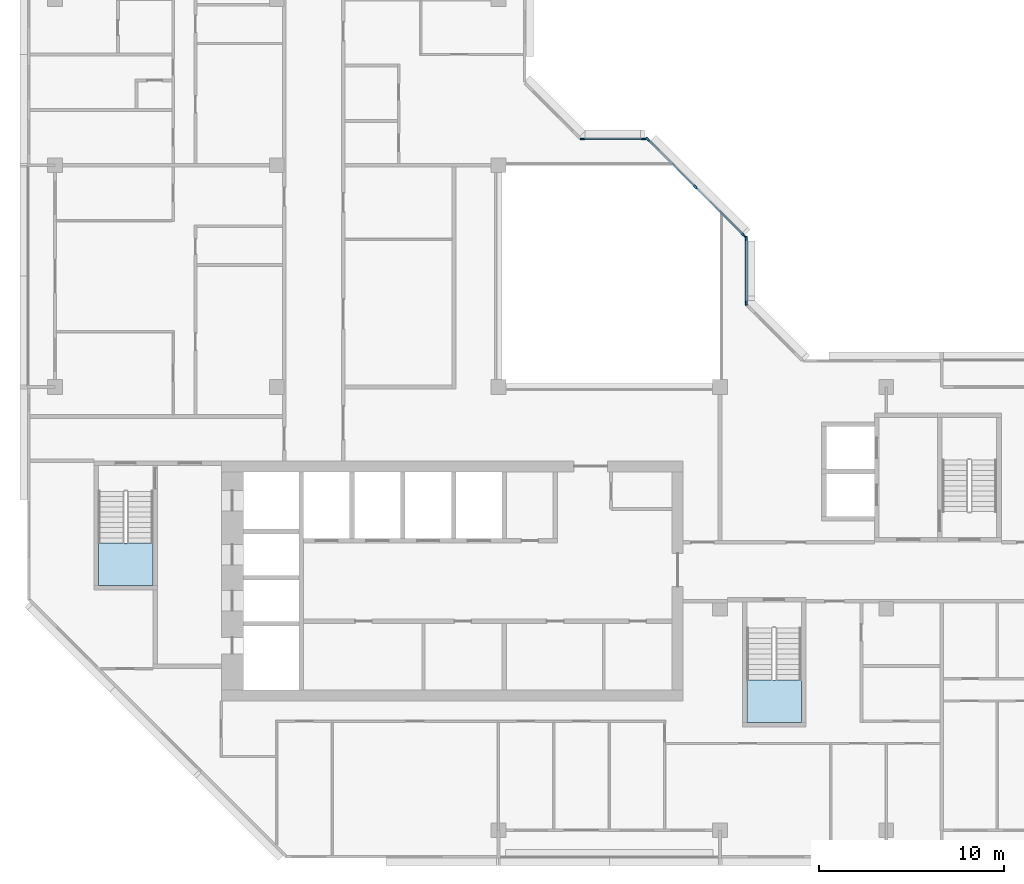
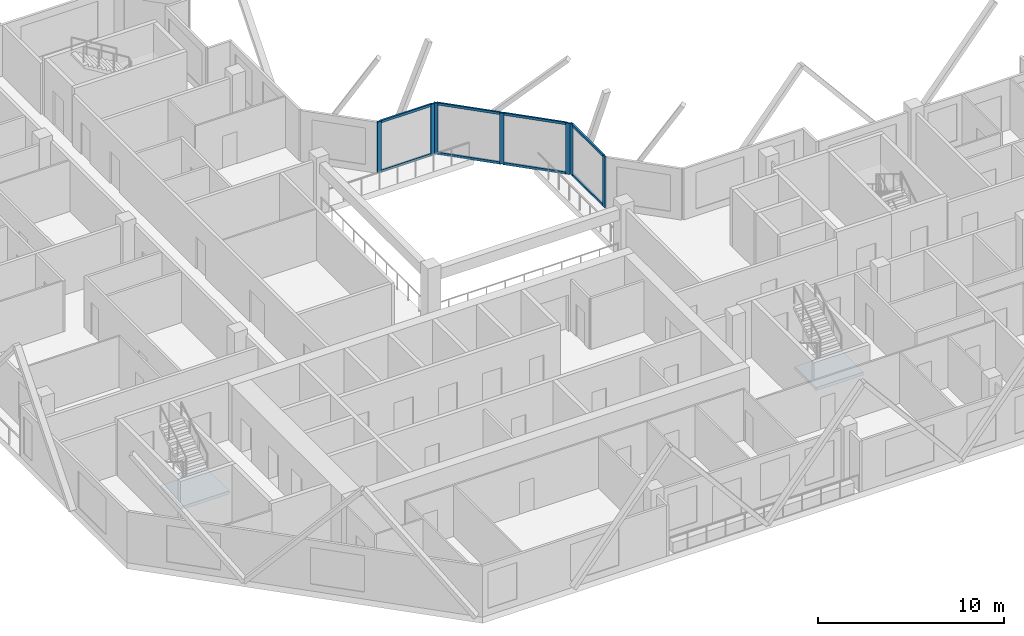
# One storey, part 2 of 13: 15 members, 2 slabs, 5 elements without a shape of their own.
"""IFC4 building model written with IfcOpenShell, lengths in metres."""

from ifc_helpers import new_model, si_unit, direction, frame, origin, origin_2d, place, context, subcontext, project, spatial, polyline, rectangle, outline, extrude, material, layer, layer_set, material_profile, profile_set, type_object, element, aggregate, save


model = new_model("IFC4")

# Units and contexts
model_context = context("Model", 3, precision=1e-05, world=origin(), true_north=direction((0.0, 1.0)))
body_context = subcontext(model_context, "Body", "Model", "MODEL_VIEW")
ifc_project = project(units=[si_unit("LENGTHUNIT", "METRE"), si_unit("AREAUNIT", "SQUARE_METRE"), si_unit("VOLUMEUNIT", "CUBIC_METRE"), si_unit("PLANEANGLEUNIT", "RADIAN"), si_unit("MASSUNIT", "GRAM", prefix="KILO")], contexts=[model_context])

# Site, building, storey
site_placement = place(None, origin())
site = spatial("IfcSite", under=ifc_project, at=site_placement, CompositionType="ELEMENT")
building_placement = place(site_placement, origin())
building = spatial("IfcBuilding", under=site, at=building_placement, Name="Chenar Terraces", CompositionType="ELEMENT")
storey_placement = place(building_placement, frame((0.0, 0.0, 288.39990234375)))
storey = spatial("IfcBuildingStorey", under=building, at=storey_placement, Name="L67", CompositionType="ELEMENT", Elevation=288.39990234375)

# Curtain wall, members
ifc_material_1 = material(Name="Aluminium framed glazing", Category="aluminium")
ifc_layer_1 = layer(ifc_material_1, 0.14990234375)
ifc_layer_set_1 = layer_set([ifc_layer_1], Name="Aluminium framed glazing")
curtain_wall_type = type_object("IfcCurtainWallType", Name="Atrium upper-zone curtain wall", PredefinedType="NOTDEFINED", material=ifc_layer_set_1)
placement_1 = place(storey_placement, origin())
curtain_wall_1 = element("IfcCurtainWall", 1, at=placement_1, inside=storey, type_object=curtain_wall_type, Name="Atrium upper-zone curtain wall", PredefinedType="NOTDEFINED")
ifc_material_2 = material(Name="Aluminium", Category="aluminium")
ifc_material_profile_1 = material_profile(ifc_material_2, rectangle(XDim=0.10009765625, YDim=0.239990234375, at=origin_2d()), Name="Atrium upper-zone glazing mullion 100 x 240")
ifc_profile_set_1 = profile_set([ifc_material_profile_1], Name="Aluminium")
member_type_1 = type_object("IfcMemberType", Name="Atrium upper-zone glazing mullion 100 x 240", PredefinedType="MULLION", material=ifc_profile_set_1)
member_1_placement = place(storey_placement, frame((37.425048828125, 28.550048828125, 0.0), z_axis=(0.0, 0.0, 1.0), x_axis=(-1.0, 0.0, 0.0)))
member_1 = element("IfcMember", 2, at=member_1_placement, type_object=member_type_1, Name="CW8-1 mullion 1", PredefinedType="MULLION", context=body_context, shape_type="SweptSolid", body=[
    extrude(rectangle(XDim=0.10009765625, YDim=0.239990234375, at=origin_2d()), origin(), (0.0, 0.0, 1.0), 3.35009765625),
])
member_2_placement = place(storey_placement, frame((37.425048828125, 32.050048828125, 0.0), z_axis=(0.0, 0.0, 1.0), x_axis=(-1.0, 0.0, 0.0)))
member_2 = element("IfcMember", 3, at=member_2_placement, type_object=member_type_1, Name="CW8-1 mullion 2", PredefinedType="MULLION", context=body_context, shape_type="SweptSolid", body=[
    extrude(rectangle(XDim=0.10009765625, YDim=0.239990234375, at=origin_2d()), origin(), (0.0, 0.0, 1.0), 3.35009765625),
])

curtain_wall_2 = element("IfcCurtainWall", 4, at=placement_1, inside=storey, type_object=curtain_wall_type, Name="Atrium upper-zone curtain wall", PredefinedType="NOTDEFINED")
member_3_placement = place(storey_placement, frame((37.270263671875, 32.2236328125, 0.0), z_axis=(0.0, 0.0, 1.0), x_axis=(-0.707106781187, -0.707106781187, 0.0)))
member_3 = element("IfcMember", 5, at=member_3_placement, type_object=member_type_1, Name="CW8-2 mullion 1", PredefinedType="MULLION", context=body_context, shape_type="SweptSolid", body=[
    extrude(rectangle(XDim=0.10009765625, YDim=0.239990234375, at=origin_2d()), origin(), (0.0, 0.0, 1.0), 3.35009765625),
])
member_4_placement = place(storey_placement, frame((34.67626953125, 34.817626953125, 0.0), z_axis=(0.0, 0.0, 1.0), x_axis=(-0.707106781187, -0.707106781187, 0.0)))
member_4 = element("IfcMember", 6, at=member_4_placement, type_object=member_type_1, Name="CW8-2 mullion 2", PredefinedType="MULLION", context=body_context, shape_type="SweptSolid", body=[
    extrude(rectangle(XDim=0.10009765625, YDim=0.239990234375, at=origin_2d()), origin(), (0.0, 0.0, 1.0), 3.35009765625),
])
member_5_placement = place(storey_placement, frame((32.082275390625, 37.41162109375, 0.0), z_axis=(0.0, 0.0, 1.0), x_axis=(-0.707106781187, -0.707106781187, 0.0)))
member_5 = element("IfcMember", 7, at=member_5_placement, type_object=member_type_1, Name="CW8-2 mullion 3", PredefinedType="MULLION", context=body_context, shape_type="SweptSolid", body=[
    extrude(rectangle(XDim=0.10009765625, YDim=0.239990234375, at=origin_2d()), origin(), (0.0, 0.0, 1.0), 3.35009765625),
])

curtain_wall_3 = element("IfcCurtainWall", 8, at=placement_1, inside=storey, type_object=curtain_wall_type, Name="Atrium upper-zone curtain wall", PredefinedType="NOTDEFINED")
member_6_placement = place(storey_placement, frame((31.85009765625, 37.425048828125, 0.0), z_axis=(0.0, 0.0, 1.0), x_axis=(0.0, -1.0, 0.0)))
member_6 = element("IfcMember", 9, at=member_6_placement, type_object=member_type_1, Name="CW8-3 mullion 1", PredefinedType="MULLION", context=body_context, shape_type="SweptSolid", body=[
    extrude(rectangle(XDim=0.10009765625, YDim=0.239990234375, at=origin_2d()), origin(), (0.0, 0.0, 1.0), 3.35009765625),
])
member_7_placement = place(storey_placement, frame((28.550048828125, 37.425048828125, 0.0), z_axis=(0.0, 0.0, 1.0), x_axis=(0.0, -1.0, 0.0)))
member_7 = element("IfcMember", 10, at=member_7_placement, type_object=member_type_1, Name="CW8-3 mullion 2", PredefinedType="MULLION", context=body_context, shape_type="SweptSolid", body=[
    extrude(rectangle(XDim=0.10009765625, YDim=0.239990234375, at=origin_2d()), origin(), (0.0, 0.0, 1.0), 3.35009765625),
])

# Member
ifc_material_3 = material(Name="Aluminium", Category="aluminium")
ifc_material_profile_2 = material_profile(ifc_material_3, rectangle(XDim=0.10009765625, YDim=0.159912109375, at=origin_2d()), Name="Atrium upper-zone glazing transom 100 x 160")
ifc_profile_set_2 = profile_set([ifc_material_profile_2], Name="Aluminium")
member_type_2 = type_object("IfcMemberType", Name="Atrium upper-zone glazing transom 100 x 160", PredefinedType="USERDEFINED", material=ifc_profile_set_2)
member_8_placement = place(storey_placement, frame((37.425048828125, 28.60009765625, 0.050048828125), z_axis=(0.0, 1.0, 0.0), x_axis=(-1.0, 0.0, 0.0)))
member_8 = element("IfcMember", 11, at=member_8_placement, type_object=member_type_2, Name="CW8-1 transom 1.1", ObjectType="TRANSOM", PredefinedType="USERDEFINED", context=body_context, shape_type="SweptSolid", body=[
    extrude(rectangle(XDim=0.10009765625, YDim=0.159912109375, at=origin_2d()), origin(), (0.0, 0.0, 1.0), 3.39990234375),
])

member_9_placement = place(storey_placement, frame((37.425048828125, 28.60009765625, 3.300048828125), z_axis=(0.0, 1.0, 0.0), x_axis=(-1.0, 0.0, 0.0)))
member_9 = element("IfcMember", 12, at=member_9_placement, type_object=member_type_2, Name="CW8-1 transom 1.2", ObjectType="TRANSOM", PredefinedType="USERDEFINED", context=body_context, shape_type="SweptSolid", body=[
    extrude(rectangle(XDim=0.10009765625, YDim=0.159912109375, at=origin_2d()), origin(), (0.0, 0.0, 1.0), 3.39990234375),
])

aggregate(curtain_wall_1, [member_1, member_2, member_8, member_9])

member_10_placement = place(storey_placement, frame((37.23486328125, 32.259033203125, 0.050048828125), z_axis=(-0.707106781187, 0.707106781187, 0.0), x_axis=(-0.707106781187, -0.707106781187, 0.0)))
member_10 = element("IfcMember", 13, at=member_10_placement, type_object=member_type_2, Name="CW8-2 transom 1.1", ObjectType="TRANSOM", PredefinedType="USERDEFINED", context=body_context, shape_type="SweptSolid", body=[
    extrude(rectangle(XDim=0.10009765625, YDim=0.159912109375, at=origin_2d()), origin(), (0.0, 0.0, 1.0), 3.568359375),
])

member_11_placement = place(storey_placement, frame((37.23486328125, 32.259033203125, 3.300048828125), z_axis=(-0.707106781187, 0.707106781187, 0.0), x_axis=(-0.707106781187, -0.707106781187, 0.0)))
member_11 = element("IfcMember", 14, at=member_11_placement, type_object=member_type_2, Name="CW8-2 transom 1.2", ObjectType="TRANSOM", PredefinedType="USERDEFINED", context=body_context, shape_type="SweptSolid", body=[
    extrude(rectangle(XDim=0.10009765625, YDim=0.159912109375, at=origin_2d()), origin(), (0.0, 0.0, 1.0), 3.568359375),
])

member_12_placement = place(storey_placement, frame((34.640869140625, 34.85302734375, 0.050048828125), z_axis=(-0.707106781187, 0.707106781187, 0.0), x_axis=(-0.707106781187, -0.707106781187, 0.0)))
member_12 = element("IfcMember", 15, at=member_12_placement, type_object=member_type_2, Name="CW8-2 transom 2.1", ObjectType="TRANSOM", PredefinedType="USERDEFINED", context=body_context, shape_type="SweptSolid", body=[
    extrude(rectangle(XDim=0.10009765625, YDim=0.159912109375, at=origin_2d()), origin(), (0.0, 0.0, 1.0), 3.568359375),
])

member_13_placement = place(storey_placement, frame((34.640869140625, 34.85302734375, 3.300048828125), z_axis=(-0.707106781187, 0.707106781187, 0.0), x_axis=(-0.707106781187, -0.707106781187, 0.0)))
member_13 = element("IfcMember", 16, at=member_13_placement, type_object=member_type_2, Name="CW8-2 transom 2.2", ObjectType="TRANSOM", PredefinedType="USERDEFINED", context=body_context, shape_type="SweptSolid", body=[
    extrude(rectangle(XDim=0.10009765625, YDim=0.159912109375, at=origin_2d()), origin(), (0.0, 0.0, 1.0), 3.568359375),
])

aggregate(curtain_wall_2, [member_3, member_4, member_5, member_10, member_11, member_12, member_13])

member_14_placement = place(storey_placement, frame((31.800048828125, 37.425048828125, 0.050048828125), z_axis=(-1.0, 0.0, 0.0), x_axis=(0.0, -1.0, 0.0)))
member_14 = element("IfcMember", 17, at=member_14_placement, type_object=member_type_2, Name="CW8-3 transom 1.1", ObjectType="TRANSOM", PredefinedType="USERDEFINED", context=body_context, shape_type="SweptSolid", body=[
    extrude(rectangle(XDim=0.10009765625, YDim=0.159912109375, at=origin_2d()), origin(), (0.0, 0.0, 1.0), 3.199951171875),
])

member_15_placement = place(storey_placement, frame((31.800048828125, 37.425048828125, 3.300048828125), z_axis=(-1.0, 0.0, 0.0), x_axis=(0.0, -1.0, 0.0)))
member_15 = element("IfcMember", 18, at=member_15_placement, type_object=member_type_2, Name="CW8-3 transom 1.2", ObjectType="TRANSOM", PredefinedType="USERDEFINED", context=body_context, shape_type="SweptSolid", body=[
    extrude(rectangle(XDim=0.10009765625, YDim=0.159912109375, at=origin_2d()), origin(), (0.0, 0.0, 1.0), 3.199951171875),
])

aggregate(curtain_wall_3, [member_6, member_7, member_14, member_15])

# Stair, slab
ifc_material_4 = material(Name="Reinforced concrete C40/50", Category="concrete")
stair_type = type_object("IfcStairType", Name="Core stair 1400 half-turn", PredefinedType="HALF_TURN_STAIR", material=ifc_material_4)
stair_1 = element("IfcStair", 19, at=placement_1, inside=storey, type_object=stair_type, Name="L67 Stair 1", PredefinedType="HALF_TURN_STAIR")
ifc_material_5 = material(Name="Reinforced concrete C40/50", Category="concrete")
ifc_layer_2 = layer(ifc_material_5, 0.199951171875)
ifc_layer_set_2 = layer_set([ifc_layer_2], Name="Reinforced concrete C40/50")
slab_type = type_object("IfcSlabType", Name="Core stair landing 200", PredefinedType="LANDING", material=ifc_layer_set_2)
placement_2 = place(storey_placement, frame((0.0, 0.0, 1.675048828125)))
slab_1 = element("IfcSlab", 20, at=placement_2, type_object=slab_type, Name="ST1 landing 1", PredefinedType="LANDING", context=body_context, shape_type="SweptSolid", body=[
    extrude(outline(polyline([(2.35009765625, 15.550048828125), (2.35009765625, 13.25), (5.300048828125, 13.25), (5.300048828125, 15.550048828125), (2.35009765625, 15.550048828125)])), origin(), (0.0, 0.0, 1.0), 0.199951171875),
])
aggregate(stair_1, [slab_1])

stair_2 = element("IfcStair", 21, at=placement_1, inside=storey, type_object=stair_type, Name="L67 Stair 2", PredefinedType="HALF_TURN_STAIR")
slab_2 = element("IfcSlab", 22, at=placement_2, type_object=slab_type, Name="ST2 landing 1", PredefinedType="LANDING", context=body_context, shape_type="SweptSolid", body=[
    extrude(outline(polyline([(37.449951171875, 8.14990234375), (37.449951171875, 5.85009765625), (40.39990234375, 5.85009765625), (40.39990234375, 8.14990234375), (37.449951171875, 8.14990234375)])), origin(), (0.0, 0.0, 1.0), 0.199951171875),
])
aggregate(stair_2, [slab_2])

save(model, "model.ifc")
